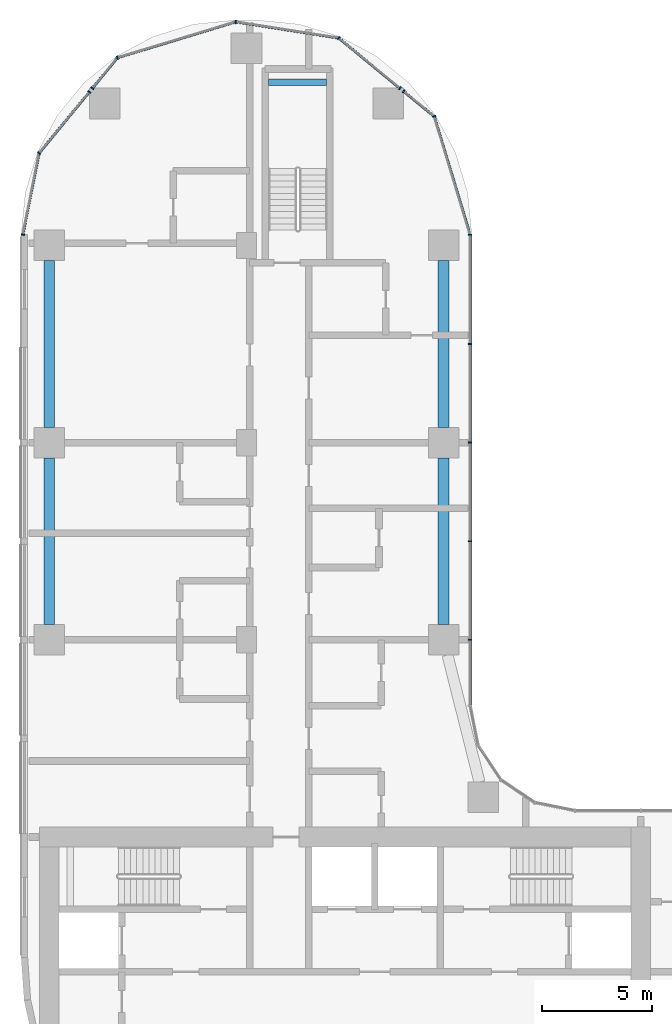
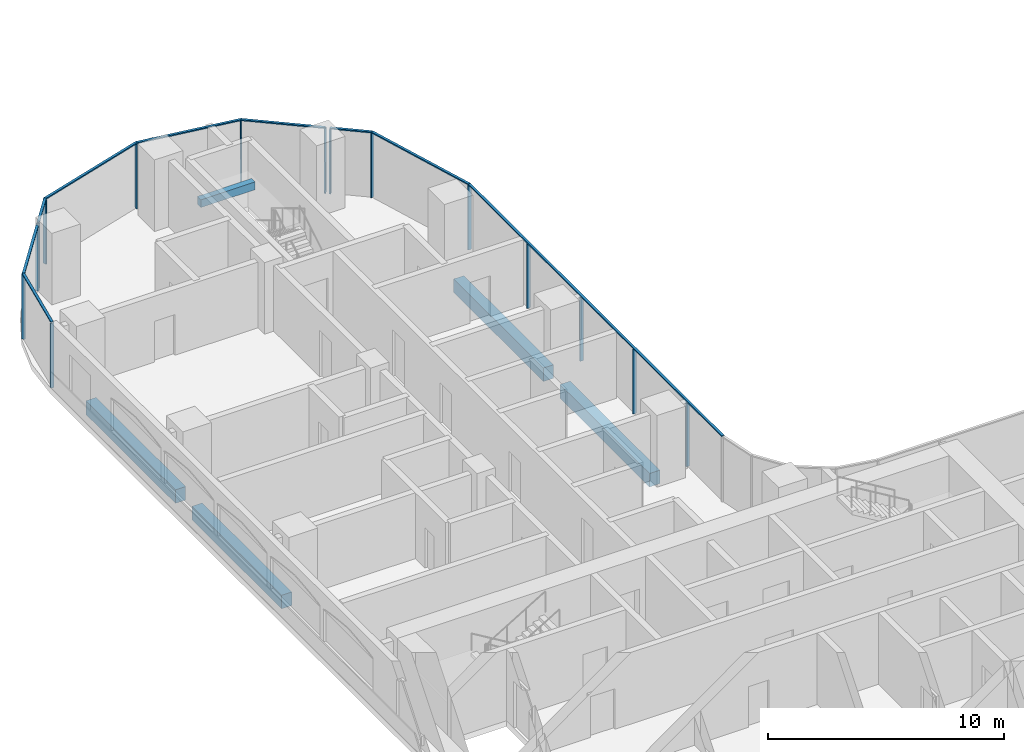
# One storey, part 6 of 36: 24 members, 5 beams, 4 elements without a shape of their own.
"""IFC4 building model written with IfcOpenShell, lengths in metres."""

from ifc_helpers import new_model, si_unit, direction, frame, origin, origin_2d, place, context, subcontext, project, spatial, rectangle, extrude, material, material_profile, profile_set, type_object, element, aggregate, save


model = new_model("IFC4")

# Units and contexts
model_context = context("Model", 3, precision=1e-05, world=origin(), true_north=direction((0.0, 1.0)))
body_context = subcontext(model_context, "Body", "Model", "MODEL_VIEW")
ifc_project = project(units=[si_unit("LENGTHUNIT", "METRE"), si_unit("AREAUNIT", "SQUARE_METRE"), si_unit("VOLUMEUNIT", "CUBIC_METRE"), si_unit("PLANEANGLEUNIT", "RADIAN"), si_unit("MASSUNIT", "GRAM", prefix="KILO")], contexts=[model_context])

# Site, building, storey
site_placement = place(None, origin())
site = spatial("IfcSite", under=ifc_project, at=site_placement, CompositionType="ELEMENT")
building_placement = place(site_placement, origin())
building = spatial("IfcBuilding", under=site, at=building_placement, Name="Ogive Portal Towers", CompositionType="ELEMENT")
storey_placement = place(building_placement, frame((0.0, 0.0, 48.300048828125)))
storey = spatial("IfcBuildingStorey", under=building, at=storey_placement, Name="L10", CompositionType="ELEMENT", Elevation=48.300048828125)

# Beam
ifc_material_1 = material(Name="Concrete C40/50", Category="concrete")
ifc_material_profile_1 = material_profile(ifc_material_1, rectangle(XDim=0.300048828125, YDim=0.39990234375, at=origin_2d()), Name="RC 300x400")
ifc_profile_set_1 = profile_set([ifc_material_profile_1], Name="Concrete C40/50")
beam_type_1 = type_object("IfcBeamType", Name="BEAM RC 300x400", PredefinedType="BEAM", material=ifc_profile_set_1)
beam_placement = place(storey_placement, frame((41.5, 73.949951171875, 1.449951171875), z_axis=(1.0, 0.0, 0.0), x_axis=(0.0, 1.0, 0.0)))
element("IfcBeam", 1, at=beam_placement, inside=storey, type_object=beam_type_1, Name="Landing beam L10", PredefinedType="BEAM", context=body_context, shape_type="SweptSolid", body=[
    extrude(rectangle(XDim=0.300048828125, YDim=0.39990234375, at=origin_2d()), origin(), (0.0, 0.0, 1.0), 2.64990234375),
])

# Curtain wall, members
ifc_material_2 = material(Name="Glass, clear low-iron insulated glazing", Category="glass")
curtain_wall_type = type_object("IfcCurtainWallType", Name="CW FRONT RIBBON 4500", PredefinedType="NOTDEFINED", material=ifc_material_2)
curtain_wall_1_placement = place(storey_placement, origin())
curtain_wall_1 = element("IfcCurtainWall", 2, at=curtain_wall_1_placement, inside=storey, type_object=curtain_wall_type, Name="A:L10:f16:cw0", PredefinedType="NOTDEFINED")
ifc_material_3 = material(Name="Aluminium 6063 anodised", Category="aluminium")
ifc_material_profile_2 = material_profile(ifc_material_3, rectangle(XDim=0.159912109375, YDim=0.06005859375, at=origin_2d()), Name="AL 60x160")
ifc_profile_set_2 = profile_set([ifc_material_profile_2], Name="Aluminium 6063 anodised")
member_type_1 = type_object("IfcMemberType", Name="CW MULLION 60x160", PredefinedType="MULLION", material=ifc_profile_set_2)
member_1_placement = place(storey_placement, frame((50.705078125, 48.5, 0.0), z_axis=(0.0, 0.0, 1.0), x_axis=(-1.0, 0.0, 0.0)))
member_1 = element("IfcMember", 3, at=member_1_placement, type_object=member_type_1, Name="mullion", PredefinedType="MULLION", context=body_context, shape_type="SweptSolid", body=[
    extrude(rectangle(XDim=0.159912109375, YDim=0.06005859375, at=origin_2d()), origin(), (0.0, 0.0, 1.0), 3.33984375),
])
member_2_placement = place(storey_placement, frame((50.705078125, 53.0, 0.0), z_axis=(0.0, 0.0, 1.0), x_axis=(-1.0, 0.0, 0.0)))
member_2 = element("IfcMember", 4, at=member_2_placement, type_object=member_type_1, Name="mullion", PredefinedType="MULLION", context=body_context, shape_type="SweptSolid", body=[
    extrude(rectangle(XDim=0.159912109375, YDim=0.06005859375, at=origin_2d()), origin(), (0.0, 0.0, 1.0), 3.33984375),
])
member_3_placement = place(storey_placement, frame((50.705078125, 57.5, 0.0), z_axis=(0.0, 0.0, 1.0), x_axis=(-1.0, 0.0, 0.0)))
member_3 = element("IfcMember", 5, at=member_3_placement, type_object=member_type_1, Name="mullion", PredefinedType="MULLION", context=body_context, shape_type="SweptSolid", body=[
    extrude(rectangle(XDim=0.159912109375, YDim=0.06005859375, at=origin_2d()), origin(), (0.0, 0.0, 1.0), 3.33984375),
])
member_4_placement = place(storey_placement, frame((50.705078125, 62.0, 0.0), z_axis=(0.0, 0.0, 1.0), x_axis=(-1.0, 0.0, 0.0)))
member_4 = element("IfcMember", 6, at=member_4_placement, type_object=member_type_1, Name="mullion", PredefinedType="MULLION", context=body_context, shape_type="SweptSolid", body=[
    extrude(rectangle(XDim=0.159912109375, YDim=0.06005859375, at=origin_2d()), origin(), (0.0, 0.0, 1.0), 3.33984375),
])
member_5_placement = place(storey_placement, frame((50.705078125, 66.988037109375, 0.0), z_axis=(0.0, 0.0, 1.0), x_axis=(-1.0, 0.0, 0.0)))
member_5 = element("IfcMember", 7, at=member_5_placement, type_object=member_type_1, Name="mullion", PredefinedType="MULLION", context=body_context, shape_type="SweptSolid", body=[
    extrude(rectangle(XDim=0.159912109375, YDim=0.06005859375, at=origin_2d()), origin(), (0.0, 0.0, 1.0), 3.33984375),
])

curtain_wall_2_placement = place(storey_placement, origin())
curtain_wall_2 = element("IfcCurtainWall", 8, at=curtain_wall_2_placement, inside=storey, type_object=curtain_wall_type, Name="A:L10:f17:cwa~0", PredefinedType="NOTDEFINED")
member_6_placement = place(storey_placement, frame((49.06640625, 72.389892578125, 0.0), z_axis=(0.0, 0.0, 1.0), x_axis=(-0.956940335732, -0.290284677254, 0.0)))
member_6 = element("IfcMember", 9, at=member_6_placement, type_object=member_type_1, Name="mullion", PredefinedType="MULLION", context=body_context, shape_type="SweptSolid", body=[
    extrude(rectangle(XDim=0.159912109375, YDim=0.06005859375, at=origin_2d()), origin(), (0.0, 0.0, 1.0), 3.33984375),
])
member_7_placement = place(storey_placement, frame((47.673095703125, 73.533447265625, 0.0), z_axis=(0.0, 0.0, 1.0), x_axis=(-0.634393284164, -0.773010453363, 0.0)))
member_7 = element("IfcMember", 10, at=member_7_placement, type_object=member_type_1, Name="mullion", PredefinedType="MULLION", context=body_context, shape_type="SweptSolid", body=[
    extrude(rectangle(XDim=0.159912109375, YDim=0.06005859375, at=origin_2d()), origin(), (0.0, 0.0, 1.0), 3.33984375),
])

curtain_wall_3_placement = place(storey_placement, origin())
curtain_wall_3 = element("IfcCurtainWall", 11, at=curtain_wall_3_placement, inside=storey, type_object=curtain_wall_type, Name="A:L10:f17:cwa~1", PredefinedType="NOTDEFINED")
member_8_placement = place(storey_placement, frame((47.5029296875, 73.673095703125, 0.0), z_axis=(0.0, 0.0, 1.0), x_axis=(-0.634393284164, -0.773010453363, 0.0)))
member_8 = element("IfcMember", 12, at=member_8_placement, type_object=member_type_1, Name="mullion", PredefinedType="MULLION", context=body_context, shape_type="SweptSolid", body=[
    extrude(rectangle(XDim=0.159912109375, YDim=0.06005859375, at=origin_2d()), origin(), (0.0, 0.0, 1.0), 3.33984375),
])
member_9_placement = place(storey_placement, frame((44.710693359375, 75.964599609375, 0.0), z_axis=(0.0, 0.0, 1.0), x_axis=(-0.634393284164, -0.773010453363, 0.0)))
member_9 = element("IfcMember", 13, at=member_9_placement, type_object=member_type_1, Name="mullion", PredefinedType="MULLION", context=body_context, shape_type="SweptSolid", body=[
    extrude(rectangle(XDim=0.159912109375, YDim=0.06005859375, at=origin_2d()), origin(), (0.0, 0.0, 1.0), 3.33984375),
])
member_10_placement = place(storey_placement, frame((40.005615234375, 76.703125, 0.0), z_axis=(0.0, 0.0, 1.0), x_axis=(-0.15508857602, -0.987900568675, 0.0)))
member_10 = element("IfcMember", 14, at=member_10_placement, type_object=member_type_1, Name="mullion", PredefinedType="MULLION", context=body_context, shape_type="SweptSolid", body=[
    extrude(rectangle(XDim=0.159912109375, YDim=0.06005859375, at=origin_2d()), origin(), (0.0, 0.0, 1.0), 3.33984375),
])
member_11_placement = place(storey_placement, frame((34.610107421875, 75.06640625, 0.0), z_axis=(0.0, 0.0, 1.0), x_axis=(0.290284677254, -0.956940335732, 0.0)))
member_11 = element("IfcMember", 15, at=member_11_placement, type_object=member_type_1, Name="mullion", PredefinedType="MULLION", context=body_context, shape_type="SweptSolid", body=[
    extrude(rectangle(XDim=0.159912109375, YDim=0.06005859375, at=origin_2d()), origin(), (0.0, 0.0, 1.0), 3.33984375),
])
member_12_placement = place(storey_placement, frame((33.466552734375, 73.673095703125, 0.0), z_axis=(0.0, 0.0, 1.0), x_axis=(0.773010453363, -0.634393284164, 0.0)))
member_12 = element("IfcMember", 16, at=member_12_placement, type_object=member_type_1, Name="mullion", PredefinedType="MULLION", context=body_context, shape_type="SweptSolid", body=[
    extrude(rectangle(XDim=0.159912109375, YDim=0.06005859375, at=origin_2d()), origin(), (0.0, 0.0, 1.0), 3.33984375),
])

curtain_wall_4_placement = place(storey_placement, origin())
curtain_wall_4 = element("IfcCurtainWall", 17, at=curtain_wall_4_placement, inside=storey, type_object=curtain_wall_type, Name="A:L10:f17:cwa~2", PredefinedType="NOTDEFINED")
member_13_placement = place(storey_placement, frame((33.326904296875, 73.5029296875, 0.0), z_axis=(0.0, 0.0, 1.0), x_axis=(0.773010453363, -0.634393284164, 0.0)))
member_13 = element("IfcMember", 18, at=member_13_placement, type_object=member_type_1, Name="mullion", PredefinedType="MULLION", context=body_context, shape_type="SweptSolid", body=[
    extrude(rectangle(XDim=0.159912109375, YDim=0.06005859375, at=origin_2d()), origin(), (0.0, 0.0, 1.0), 3.33984375),
])
member_14_placement = place(storey_placement, frame((31.034423828125, 70.709228515625, 0.0), z_axis=(0.0, 0.0, 1.0), x_axis=(0.773010453363, -0.634393284164, 0.0)))
member_14 = element("IfcMember", 19, at=member_14_placement, type_object=member_type_1, Name="mullion", PredefinedType="MULLION", context=body_context, shape_type="SweptSolid", body=[
    extrude(rectangle(XDim=0.159912109375, YDim=0.06005859375, at=origin_2d()), origin(), (0.0, 0.0, 1.0), 3.33984375),
])
member_15_placement = place(storey_placement, frame((30.294921875, 66.9921875, 0.0), z_axis=(0.0, 0.0, 1.0), x_axis=(0.980785280403, -0.195090322016, 0.0)))
member_15 = element("IfcMember", 20, at=member_15_placement, type_object=member_type_1, Name="mullion", PredefinedType="MULLION", context=body_context, shape_type="SweptSolid", body=[
    extrude(rectangle(XDim=0.159912109375, YDim=0.06005859375, at=origin_2d()), origin(), (0.0, 0.0, 1.0), 3.33984375),
])

# Member
ifc_material_profile_3 = material_profile(ifc_material_3, rectangle(XDim=0.1201171875, YDim=0.06005859375, at=origin_2d()), Name="AL 120x60")
ifc_profile_set_3 = profile_set([ifc_material_profile_3], Name="Aluminium 6063 anodised")
member_type_2 = type_object("IfcMemberType", Name="CW TRANSOM 60x120", PredefinedType="USERDEFINED", material=ifc_profile_set_3)
member_16_placement = place(storey_placement, frame((50.705078125, 45.4921875, 3.369873046875), z_axis=(0.0, 1.0, 0.0), x_axis=(-1.0, 0.0, 0.0)))
member_16 = element("IfcMember", 21, at=member_16_placement, type_object=member_type_2, Name="transom", ObjectType="TRANSOM", PredefinedType="USERDEFINED", context=body_context, shape_type="SweptSolid", body=[
    extrude(rectangle(XDim=0.1201171875, YDim=0.06005859375, at=origin_2d()), origin(), (0.0, 0.0, 1.0), 21.495849609375),
])

aggregate(curtain_wall_1, [member_16, member_1, member_2, member_3, member_4, member_5])

member_17_placement = place(storey_placement, frame((50.705078125, 66.988037109375, 3.369873046875), z_axis=(-0.290290668645, 0.956938518243, 0.0), x_axis=(-0.956938518243, -0.290290668645, 0.0)))
member_17 = element("IfcMember", 22, at=member_17_placement, type_object=member_type_2, Name="transom", ObjectType="TRANSOM", PredefinedType="USERDEFINED", context=body_context, shape_type="SweptSolid", body=[
    extrude(rectangle(XDim=0.1201171875, YDim=0.06005859375, at=origin_2d()), origin(), (0.0, 0.0, 1.0), 5.64501953125),
])

member_18_placement = place(storey_placement, frame((49.06640625, 72.389892578125, 3.369873046875), z_axis=(-0.772984804781, 0.634424535762, 0.0), x_axis=(-0.634424535762, -0.772984804781, 0.0)))
member_18 = element("IfcMember", 23, at=member_18_placement, type_object=member_type_2, Name="transom", ObjectType="TRANSOM", PredefinedType="USERDEFINED", context=body_context, shape_type="SweptSolid", body=[
    extrude(rectangle(XDim=0.1201171875, YDim=0.06005859375, at=origin_2d()), origin(), (0.0, 0.0, 1.0), 1.802490234375),
])

aggregate(curtain_wall_2, [member_17, member_18, member_6, member_7])

member_19_placement = place(storey_placement, frame((47.5029296875, 73.673095703125, 3.369873046875), z_axis=(-0.773013878256, 0.634389110896, 0.0), x_axis=(-0.634389110896, -0.773013878256, 0.0)))
member_19 = element("IfcMember", 24, at=member_19_placement, type_object=member_type_2, Name="transom", ObjectType="TRANSOM", PredefinedType="USERDEFINED", context=body_context, shape_type="SweptSolid", body=[
    extrude(rectangle(XDim=0.1201171875, YDim=0.06005859375, at=origin_2d()), origin(), (0.0, 0.0, 1.0), 3.612060546875),
])

member_20_placement = place(storey_placement, frame((44.710693359375, 75.964599609375, 3.369873046875), z_axis=(-0.987904287541, 0.155064885316, 0.0), x_axis=(-0.155064885316, -0.987904287541, 0.0)))
member_20 = element("IfcMember", 25, at=member_20_placement, type_object=member_type_2, Name="transom", ObjectType="TRANSOM", PredefinedType="USERDEFINED", context=body_context, shape_type="SweptSolid", body=[
    extrude(rectangle(XDim=0.1201171875, YDim=0.06005859375, at=origin_2d()), origin(), (0.0, 0.0, 1.0), 4.7626953125),
])

member_21_placement = place(storey_placement, frame((40.005615234375, 76.703125, 3.369873046875), z_axis=(-0.956939875143, -0.290286195609, 0.0), x_axis=(0.290286195609, -0.956939875143, 0.0)))
member_21 = element("IfcMember", 26, at=member_21_placement, type_object=member_type_2, Name="transom", ObjectType="TRANSOM", PredefinedType="USERDEFINED", context=body_context, shape_type="SweptSolid", body=[
    extrude(rectangle(XDim=0.1201171875, YDim=0.06005859375, at=origin_2d()), origin(), (0.0, 0.0, 1.0), 5.63818359375),
])

member_22_placement = place(storey_placement, frame((34.610107421875, 75.06640625, 3.369873046875), z_axis=(-0.634424535762, -0.772984804781, 0.0), x_axis=(0.772984804781, -0.634424535762, 0.0)))
member_22 = element("IfcMember", 27, at=member_22_placement, type_object=member_type_2, Name="transom", ObjectType="TRANSOM", PredefinedType="USERDEFINED", context=body_context, shape_type="SweptSolid", body=[
    extrude(rectangle(XDim=0.1201171875, YDim=0.06005859375, at=origin_2d()), origin(), (0.0, 0.0, 1.0), 1.802490234375),
])

aggregate(curtain_wall_3, [member_19, member_20, member_21, member_22, member_8, member_9, member_10, member_11, member_12])

member_23_placement = place(storey_placement, frame((33.326904296875, 73.5029296875, 3.369873046875), z_axis=(-0.63435180921, -0.773044489115, 0.0), x_axis=(0.773044489115, -0.63435180921, 0.0)))
member_23 = element("IfcMember", 28, at=member_23_placement, type_object=member_type_2, Name="transom", ObjectType="TRANSOM", PredefinedType="USERDEFINED", context=body_context, shape_type="SweptSolid", body=[
    extrude(rectangle(XDim=0.1201171875, YDim=0.06005859375, at=origin_2d()), origin(), (0.0, 0.0, 1.0), 3.614013671875),
])

member_24_placement = place(storey_placement, frame((31.034423828125, 70.709228515625, 3.369873046875), z_axis=(-0.195124974332, -0.980778386993, 0.0), x_axis=(0.980778386993, -0.195124974332, 0.0)))
member_24 = element("IfcMember", 29, at=member_24_placement, type_object=member_type_2, Name="transom", ObjectType="TRANSOM", PredefinedType="USERDEFINED", context=body_context, shape_type="SweptSolid", body=[
    extrude(rectangle(XDim=0.1201171875, YDim=0.06005859375, at=origin_2d()), origin(), (0.0, 0.0, 1.0), 3.789794921875),
])

aggregate(curtain_wall_4, [member_23, member_24, member_13, member_14, member_15])

# Beams
ifc_material_profile_4 = material_profile(ifc_material_1, rectangle(XDim=0.5, YDim=0.699951171875, at=origin_2d()), Name="RC 500x700")
ifc_profile_set_4 = profile_set([ifc_material_profile_4], Name="Concrete C40/50")
beam_type_2 = type_object("IfcBeamType", Name="SPANDREL BEAM RC 500x700", PredefinedType="BEAM", material=ifc_profile_set_4)
for number, where, z_axis, x_axis, name in (
    (30, (31.5, 49.199951171875, -0.650146484375), (0.0, 1.0, 0.0), (-1.0, 0.0, 0.0), "Spandrel beam L10"),
    (31, (31.5, 58.199951171875, -0.650146484375), (0.0, 1.0, 0.0), (-1.0, 0.0, 0.0), "Spandrel beam L10"),
    (32, (49.5, 65.800048828125, -0.650146484375), (0.0, -1.0, 0.0), (1.0, 0.0, 0.0), "Spandrel beam L10"),
    (33, (49.5, 56.800048828125, -0.650146484375), (0.0, -1.0, 0.0), (1.0, 0.0, 0.0), "Spandrel beam L10"),
):
    element("IfcBeam", number, at=place(storey_placement, frame(where, z_axis=z_axis, x_axis=x_axis)), inside=storey, type_object=beam_type_2, Name=name, PredefinedType="BEAM", context=body_context, shape_type="SweptSolid", body=[
        extrude(rectangle(XDim=0.5, YDim=0.699951171875, at=origin_2d()), origin(), (0.0, 0.0, 1.0), 7.60009765625),
    ])

save(model, "model.ifc")
